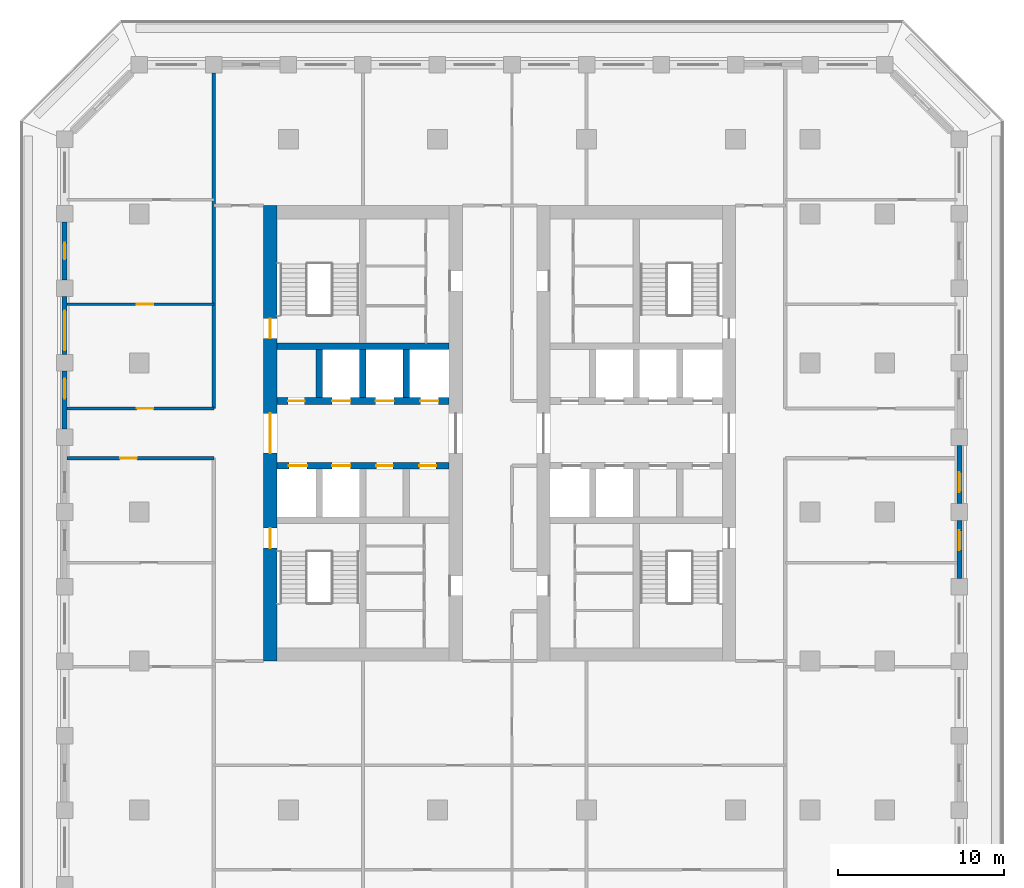
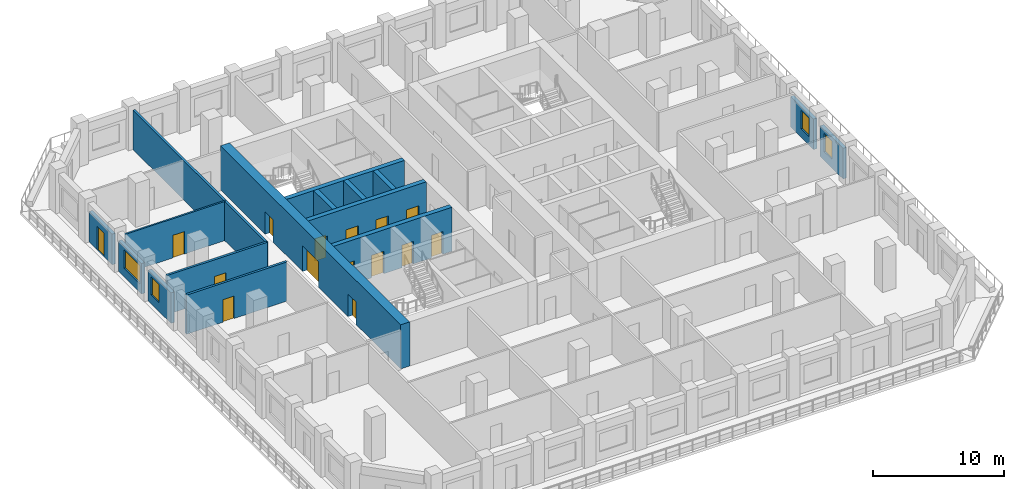
# One storey, part 5 of 16: 16 walls, 15 doors, 4 windows, 19 openings.
"""IFC4 building model written with IfcOpenShell, lengths in metres."""

from ifc_helpers import new_model, si_unit, direction, frame, frame_2d, origin, place, context, subcontext, project, spatial, rectangle, extrude, material, layer, layer_set, type_object, element, fill, save


model = new_model("IFC4")

# Units and contexts
model_context = context("Model", 3, precision=1e-05, world=origin(), true_north=direction((0.0, 1.0)))
body_context = subcontext(model_context, "Body", "Model", "MODEL_VIEW")
ifc_project = project(units=[si_unit("LENGTHUNIT", "METRE"), si_unit("AREAUNIT", "SQUARE_METRE"), si_unit("VOLUMEUNIT", "CUBIC_METRE"), si_unit("PLANEANGLEUNIT", "RADIAN"), si_unit("MASSUNIT", "GRAM", prefix="KILO")], contexts=[model_context])

# Site, building, storey
site_placement = place(None, origin())
site = spatial("IfcSite", under=ifc_project, at=site_placement, CompositionType="ELEMENT")
building_placement = place(site_placement, origin())
building = spatial("IfcBuilding", under=site, at=building_placement, Name="Corbel Stack Research Tower", CompositionType="ELEMENT")
storey_placement = place(building_placement, frame((0.0, 0.0, 203.800048828125)))
storey = spatial("IfcBuildingStorey", under=building, at=storey_placement, Name="L46", CompositionType="ELEMENT", Elevation=203.800048828125)

# Wall, openings, doors
ifc_material_1 = material(Name="Concrete C60/75", Category="concrete")
ifc_layer_1 = layer(ifc_material_1, 0.39990234375)
ifc_layer_set_1 = layer_set([ifc_layer_1], Name="Concrete C60/75")
wall_type_1 = type_object("IfcWallType", Name="CW-400-60", PredefinedType="SHEAR", material=ifc_layer_set_1)
wall_1_placement = place(storey_placement, frame((-9.699951171875, 2.800048828125, 0.0), z_axis=(0.0, 0.0, 1.0), x_axis=(1.0, 0.0, 0.0)))
wall_1 = element("IfcWall", 1, at=wall_1_placement, inside=storey, type_object=wall_type_1, Name="West core wall, lobby south L46", PredefinedType="SHEAR", context=body_context, shape_type="SweptSolid", body=[
    extrude(rectangle(XDim=10.39990234375, YDim=0.39990234375, at=frame_2d((5.199951171875, 0.0))), origin(), (0.0, 0.0, 1.0), 4.099853515625),
])
opening_1_placement = place(wall_1_placement, frame((0.737548828125, 0.0, 0.0)))
opening_1 = element("IfcOpeningElement", 2, at=opening_1_placement, cuts=wall_1, Name="Opening LD-FS1", PredefinedType="OPENING", context=body_context, shape_type="SweptSolid", body=[
    extrude(rectangle(XDim=1.10009765625, YDim=2.10009765625, at=frame_2d((0.550048828125, 1.050048828125))), frame((0.0, 0.2099609375, 0.0), z_axis=(0.0, -1.0, 0.0), x_axis=(1.0, 0.0, 0.0)), (0.0, 0.0, 1.0), 0.419921875),
])
opening_2_placement = place(wall_1_placement, frame((3.33740234375, 0.0, 0.0)))
opening_2 = element("IfcOpeningElement", 3, at=opening_2_placement, cuts=wall_1, Name="Opening LD-GL1", PredefinedType="OPENING", context=body_context, shape_type="SweptSolid", body=[
    extrude(rectangle(XDim=1.10009765625, YDim=2.10009765625, at=frame_2d((0.550048828125, 1.050048828125))), frame((0.0, 0.2099609375, 0.0), z_axis=(0.0, -1.0, 0.0), x_axis=(1.0, 0.0, 0.0)), (0.0, 0.0, 1.0), 0.419921875),
])
opening_3_placement = place(wall_1_placement, frame((6.012451171875, 0.0, 0.0)))
opening_3 = element("IfcOpeningElement", 4, at=opening_3_placement, cuts=wall_1, Name="Opening CR-W42-S3", PredefinedType="OPENING", context=body_context, shape_type="SweptSolid", body=[
    extrude(rectangle(XDim=1.0, YDim=2.10009765625, at=frame_2d((0.5, 1.050048828125))), frame((0.0, 0.2099609375, 0.0), z_axis=(0.0, -1.0, 0.0), x_axis=(1.0, 0.0, 0.0)), (0.0, 0.0, 1.0), 0.419921875),
])
opening_4_placement = place(wall_1_placement, frame((8.612548828125, 0.0, 0.0)))
opening_4 = element("IfcOpeningElement", 5, at=opening_4_placement, cuts=wall_1, Name="Opening CR-W42-S4", PredefinedType="OPENING", context=body_context, shape_type="SweptSolid", body=[
    extrude(rectangle(XDim=1.0, YDim=2.10009765625, at=frame_2d((0.5, 1.050048828125))), frame((0.0, 0.2099609375, 0.0), z_axis=(0.0, -1.0, 0.0), x_axis=(1.0, 0.0, 0.0)), (0.0, 0.0, 1.0), 0.419921875),
])
ifc_material_2 = material(Name="Stainless steel landing door", Category="steel")
door_type_1 = type_object("IfcDoorType", Name="Lift landing door 1100 x 2100", OperationType="DOUBLE_DOOR_SLIDING", PredefinedType="DOOR", material=ifc_material_2)
door_1_placement = place(opening_1_placement, origin())
door_1 = element("IfcDoor", 6, at=door_1_placement, inside=storey, type_object=door_type_1, Name="Landing door FS1", OperationType="DOUBLE_DOOR_SLIDING", OverallHeight=2.10009765625, OverallWidth=1.10009765625, PredefinedType="DOOR", context=body_context, shape_type="SweptSolid", body=[
    extrude(rectangle(XDim=1.10009765625, YDim=2.10009765625, at=frame_2d((0.550048828125, 1.050048828125))), frame((0.0, 0.02490234375, 0.0), z_axis=(0.0, -1.0, 0.0), x_axis=(1.0, 0.0, 0.0)), (0.0, 0.0, 1.0), 0.050048828125),
])
fill(opening_1, door_1)
door_2_placement = place(opening_2_placement, origin())
door_2 = element("IfcDoor", 7, at=door_2_placement, inside=storey, type_object=door_type_1, Name="Landing door GL1", OperationType="DOUBLE_DOOR_SLIDING", OverallHeight=2.10009765625, OverallWidth=1.10009765625, PredefinedType="DOOR", context=body_context, shape_type="SweptSolid", body=[
    extrude(rectangle(XDim=1.10009765625, YDim=2.10009765625, at=frame_2d((0.550048828125, 1.050048828125))), frame((0.0, 0.02490234375, 0.0), z_axis=(0.0, -1.0, 0.0), x_axis=(1.0, 0.0, 0.0)), (0.0, 0.0, 1.0), 0.050048828125),
])
fill(opening_2, door_2)
ifc_material_3 = material(Name="Painted steel door", Category="steel")
door_type_2 = type_object("IfcDoorType", Name="Service door 1000 x 2100 FD60 left hand", OperationType="SINGLE_SWING_LEFT", PredefinedType="DOOR", material=ifc_material_3)
door_3_placement = place(opening_3_placement, origin())
door_3 = element("IfcDoor", 8, at=door_3_placement, inside=storey, type_object=door_type_2, Name="Laboratory consumables store door W core", OperationType="SINGLE_SWING_LEFT", OverallHeight=2.10009765625, OverallWidth=1.0, PredefinedType="DOOR", context=body_context, shape_type="SweptSolid", body=[
    extrude(rectangle(XDim=1.0, YDim=2.10009765625, at=frame_2d((0.5, 1.050048828125))), frame((0.0, 0.02490234375, 0.0), z_axis=(0.0, -1.0, 0.0), x_axis=(1.0, 0.0, 0.0)), (0.0, 0.0, 1.0), 0.050048828125),
])
fill(opening_3, door_3)
ifc_material_4 = material(Name="Painted steel door", Category="steel")
door_type_3 = type_object("IfcDoorType", Name="Service door 1000 x 2100 FD60 right hand", OperationType="SINGLE_SWING_RIGHT", PredefinedType="DOOR", material=ifc_material_4)
door_4_placement = place(opening_4_placement, origin())
door_4 = element("IfcDoor", 9, at=door_4_placement, inside=storey, type_object=door_type_3, Name="Cleaner's store door W core", OperationType="SINGLE_SWING_RIGHT", OverallHeight=2.10009765625, OverallWidth=1.0, PredefinedType="DOOR", context=body_context, shape_type="SweptSolid", body=[
    extrude(rectangle(XDim=1.0, YDim=2.10009765625, at=frame_2d((0.5, 1.050048828125))), frame((0.0, 0.02490234375, 0.0), z_axis=(0.0, -1.0, 0.0), x_axis=(1.0, 0.0, 0.0)), (0.0, 0.0, 1.0), 0.050048828125),
])
fill(opening_4, door_4)

wall_2_placement = place(storey_placement, frame((-9.699951171875, 6.699951171875, 0.0), z_axis=(0.0, 0.0, 1.0), x_axis=(1.0, 0.0, 0.0)))
wall_2 = element("IfcWall", 10, at=wall_2_placement, inside=storey, type_object=wall_type_1, Name="West core wall, lobby north L46", PredefinedType="SHEAR", context=body_context, shape_type="SweptSolid", body=[
    extrude(rectangle(XDim=10.39990234375, YDim=0.39990234375, at=frame_2d((5.199951171875, 0.0))), origin(), (0.0, 0.0, 1.0), 4.099853515625),
])
opening_5_placement = place(wall_2_placement, frame((3.33740234375, 0.0, 0.0)))
opening_5 = element("IfcOpeningElement", 11, at=opening_5_placement, cuts=wall_2, Name="Opening LD-HR1", PredefinedType="OPENING", context=body_context, shape_type="SweptSolid", body=[
    extrude(rectangle(XDim=1.10009765625, YDim=2.10009765625, at=frame_2d((0.550048828125, 1.050048828125))), frame((0.0, 0.2099609375, 0.0), z_axis=(0.0, -1.0, 0.0), x_axis=(1.0, 0.0, 0.0)), (0.0, 0.0, 1.0), 0.419921875),
])
opening_6_placement = place(wall_2_placement, frame((5.96240234375, 0.0, 0.0)))
opening_6 = element("IfcOpeningElement", 12, at=opening_6_placement, cuts=wall_2, Name="Opening LD-HR2", PredefinedType="OPENING", context=body_context, shape_type="SweptSolid", body=[
    extrude(rectangle(XDim=1.10009765625, YDim=2.10009765625, at=frame_2d((0.550048828125, 1.050048828125))), frame((0.0, 0.2099609375, 0.0), z_axis=(0.0, -1.0, 0.0), x_axis=(1.0, 0.0, 0.0)), (0.0, 0.0, 1.0), 0.419921875),
])
opening_7_placement = place(wall_2_placement, frame((8.66259765625, 0.0, 0.0)))
opening_7 = element("IfcOpeningElement", 13, at=opening_7_placement, cuts=wall_2, Name="Opening LD-HR3", PredefinedType="OPENING", context=body_context, shape_type="SweptSolid", body=[
    extrude(rectangle(XDim=1.10009765625, YDim=2.10009765625, at=frame_2d((0.550048828125, 1.050048828125))), frame((0.0, 0.2099609375, 0.0), z_axis=(0.0, -1.0, 0.0), x_axis=(1.0, 0.0, 0.0)), (0.0, 0.0, 1.0), 0.419921875),
])
opening_8_placement = place(wall_2_placement, frame((0.6875, 0.0, 0.0)))
opening_8 = element("IfcOpeningElement", 14, at=opening_8_placement, cuts=wall_2, Name="Opening CR-W42-N1", PredefinedType="OPENING", context=body_context, shape_type="SweptSolid", body=[
    extrude(rectangle(XDim=1.0, YDim=2.10009765625, at=frame_2d((0.5, 1.050048828125))), frame((0.0, 0.2099609375, 0.0), z_axis=(0.0, -1.0, 0.0), x_axis=(1.0, 0.0, 0.0)), (0.0, 0.0, 1.0), 0.419921875),
])
door_5_placement = place(opening_5_placement, origin())
door_5 = element("IfcDoor", 15, at=door_5_placement, inside=storey, type_object=door_type_1, Name="Landing door HR1", OperationType="DOUBLE_DOOR_SLIDING", OverallHeight=2.10009765625, OverallWidth=1.10009765625, PredefinedType="DOOR", context=body_context, shape_type="SweptSolid", body=[
    extrude(rectangle(XDim=1.10009765625, YDim=2.10009765625, at=frame_2d((0.550048828125, 1.050048828125))), frame((0.0, 0.02490234375, 0.0), z_axis=(0.0, -1.0, 0.0), x_axis=(1.0, 0.0, 0.0)), (0.0, 0.0, 1.0), 0.050048828125),
])
fill(opening_5, door_5)
door_6_placement = place(opening_6_placement, origin())
door_6 = element("IfcDoor", 16, at=door_6_placement, inside=storey, type_object=door_type_1, Name="Landing door HR2", OperationType="DOUBLE_DOOR_SLIDING", OverallHeight=2.10009765625, OverallWidth=1.10009765625, PredefinedType="DOOR", context=body_context, shape_type="SweptSolid", body=[
    extrude(rectangle(XDim=1.10009765625, YDim=2.10009765625, at=frame_2d((0.550048828125, 1.050048828125))), frame((0.0, 0.02490234375, 0.0), z_axis=(0.0, -1.0, 0.0), x_axis=(1.0, 0.0, 0.0)), (0.0, 0.0, 1.0), 0.050048828125),
])
fill(opening_6, door_6)
door_7_placement = place(opening_7_placement, origin())
door_7 = element("IfcDoor", 17, at=door_7_placement, inside=storey, type_object=door_type_1, Name="Landing door HR3", OperationType="DOUBLE_DOOR_SLIDING", OverallHeight=2.10009765625, OverallWidth=1.10009765625, PredefinedType="DOOR", context=body_context, shape_type="SweptSolid", body=[
    extrude(rectangle(XDim=1.10009765625, YDim=2.10009765625, at=frame_2d((0.550048828125, 1.050048828125))), frame((0.0, 0.02490234375, 0.0), z_axis=(0.0, -1.0, 0.0), x_axis=(1.0, 0.0, 0.0)), (0.0, 0.0, 1.0), 0.050048828125),
])
fill(opening_7, door_7)
door_8_placement = place(opening_8_placement, origin())
door_8 = element("IfcDoor", 18, at=door_8_placement, inside=storey, type_object=door_type_2, Name="Vending bay door W core", OperationType="SINGLE_SWING_LEFT", OverallHeight=2.10009765625, OverallWidth=1.0, PredefinedType="DOOR", context=body_context, shape_type="SweptSolid", body=[
    extrude(rectangle(XDim=1.0, YDim=2.10009765625, at=frame_2d((0.5, 1.050048828125))), frame((0.0, 0.02490234375, 0.0), z_axis=(0.0, -1.0, 0.0), x_axis=(1.0, 0.0, 0.0)), (0.0, 0.0, 1.0), 0.050048828125),
])
fill(opening_8, door_8)

# Walls
wall_3_placement = place(storey_placement, frame((-9.699951171875, 10.0, 0.0), z_axis=(0.0, 0.0, 1.0), x_axis=(1.0, 0.0, 0.0)))
element("IfcWall", 19, at=wall_3_placement, inside=storey, type_object=wall_type_1, Name="West core wall, north row back L46", PredefinedType="SHEAR", context=body_context, shape_type="SweptSolid", body=[
    extrude(rectangle(XDim=10.39990234375, YDim=0.39990234375, at=frame_2d((5.199951171875, 0.0))), origin(), (0.0, 0.0, 1.0), 4.099853515625),
])
for number, where, z_axis, x_axis, name in (
    (20, (-7.125, 6.89990234375, 0.0), (0.0, 0.0, 1.0), (0.0, 1.0, 0.0), "West core wall, north shaft 1 L46"),
    (21, (-4.5, 6.89990234375, 0.0), (0.0, 0.0, 1.0), (0.0, 1.0, 0.0), "West core wall, north shaft 2 L46"),
    (22, (-1.875, 6.89990234375, 0.0), (0.0, 0.0, 1.0), (0.0, 1.0, 0.0), "West core wall, north shaft 3 L46"),
):
    element("IfcWall", number, at=place(storey_placement, frame(where, z_axis=z_axis, x_axis=x_axis)), inside=storey, type_object=wall_type_1, Name=name, PredefinedType="SHEAR", context=body_context, shape_type="SweptSolid", body=[
        extrude(rectangle(XDim=2.900146484375, YDim=0.39990234375, at=frame_2d((1.4501953125, 0.0))), origin(), (0.0, 0.0, 1.0), 4.099853515625),
    ])

# Wall, openings, doors
ifc_material_5 = material(Name="Concrete C60/75", Category="concrete")
ifc_layer_2 = layer(ifc_material_5, 0.800048828125)
ifc_layer_set_2 = layer_set([ifc_layer_2], Name="Concrete C60/75")
wall_type_2 = type_object("IfcWallType", Name="CW-800-60", PredefinedType="SHEAR", material=ifc_layer_set_2)
wall_4_placement = place(storey_placement, frame((-10.10009765625, -9.0, 0.0), z_axis=(0.0, 0.0, 1.0), x_axis=(0.0, 1.0, 0.0)))
wall_4 = element("IfcWall", 23, at=wall_4_placement, inside=storey, type_object=wall_type_2, Name="West core wall, west face L46", PredefinedType="SHEAR", context=body_context, shape_type="SweptSolid", body=[
    extrude(rectangle(XDim=27.5, YDim=0.800048828125, at=frame_2d((13.75, 0.0))), origin(), (0.0, 0.0, 1.0), 4.099853515625),
])
opening_9_placement = place(wall_4_placement, frame((12.550048828125, 0.0, 0.0)))
opening_9 = element("IfcOpeningElement", 24, at=opening_9_placement, cuts=wall_4, Name="Opening CD-W-W", PredefinedType="OPENING", context=body_context, shape_type="SweptSolid", body=[
    extrude(rectangle(XDim=2.39990234375, YDim=2.39990234375, at=frame_2d((1.199951171875, 1.199951171875))), frame((0.0, 0.409912109375, 0.0), z_axis=(0.0, -1.0, 0.0), x_axis=(1.0, 0.0, 0.0)), (0.0, 0.0, 1.0), 0.820068359375),
])
opening_10_placement = place(wall_4_placement, frame((6.824951171875, 0.0, 0.0)))
opening_10 = element("IfcOpeningElement", 25, at=opening_10_placement, cuts=wall_4, Name="Opening SD-ST-W1", PredefinedType="OPENING", context=body_context, shape_type="SweptSolid", body=[
    extrude(rectangle(XDim=1.199951171875, YDim=2.10009765625, at=frame_2d((0.60009765625, 1.050048828125))), frame((0.0, 0.409912109375, 0.0), z_axis=(0.0, -1.0, 0.0), x_axis=(1.0, 0.0, 0.0)), (0.0, 0.0, 1.0), 0.820068359375),
])
opening_11_placement = place(wall_4_placement, frame((19.47509765625, 0.0, 0.0)))
opening_11 = element("IfcOpeningElement", 26, at=opening_11_placement, cuts=wall_4, Name="Opening SD-ST-W2", PredefinedType="OPENING", context=body_context, shape_type="SweptSolid", body=[
    extrude(rectangle(XDim=1.199951171875, YDim=2.10009765625, at=frame_2d((0.60009765625, 1.050048828125))), frame((0.0, 0.409912109375, 0.0), z_axis=(0.0, -1.0, 0.0), x_axis=(1.0, 0.0, 0.0)), (0.0, 0.0, 1.0), 0.820068359375),
])
ifc_material_6 = material(Name="Painted steel fire door", Category="steel")
door_type_4 = type_object("IfcDoorType", Name="Lobby door pair 2400 x 2400 FD30S", OperationType="DOUBLE_DOOR_DOUBLE_SWING", PredefinedType="DOOR", material=ifc_material_6)
door_9_placement = place(opening_9_placement, origin())
door_9 = element("IfcDoor", 27, at=door_9_placement, inside=storey, type_object=door_type_4, Name="Lift lobby door W core W", OperationType="DOUBLE_DOOR_DOUBLE_SWING", OverallHeight=2.39990234375, OverallWidth=2.39990234375, PredefinedType="DOOR", context=body_context, shape_type="SweptSolid", body=[
    extrude(rectangle(XDim=2.39990234375, YDim=2.39990234375, at=frame_2d((1.199951171875, 1.199951171875))), frame((0.0, 0.02490234375, 0.0), z_axis=(0.0, -1.0, 0.0), x_axis=(1.0, 0.0, 0.0)), (0.0, 0.0, 1.0), 0.050048828125),
])
fill(opening_9, door_9)
ifc_material_7 = material(Name="Painted steel fire door", Category="steel")
door_type_5 = type_object("IfcDoorType", Name="Stair door 1200 x 2100 FD90 left hand", OperationType="SINGLE_SWING_LEFT", PredefinedType="DOOR", material=ifc_material_7)
door_10_placement = place(opening_10_placement, origin())
door_10 = element("IfcDoor", 28, at=door_10_placement, inside=storey, type_object=door_type_5, Name="Stair door ST-W1", OperationType="SINGLE_SWING_LEFT", OverallHeight=2.10009765625, OverallWidth=1.199951171875, PredefinedType="DOOR", context=body_context, shape_type="SweptSolid", body=[
    extrude(rectangle(XDim=1.199951171875, YDim=2.10009765625, at=frame_2d((0.60009765625, 1.050048828125))), frame((0.0, 0.02490234375, 0.0), z_axis=(0.0, -1.0, 0.0), x_axis=(1.0, 0.0, 0.0)), (0.0, 0.0, 1.0), 0.050048828125),
])
fill(opening_10, door_10)
door_11_placement = place(opening_11_placement, origin())
door_11 = element("IfcDoor", 29, at=door_11_placement, inside=storey, type_object=door_type_5, Name="Stair door ST-W2", OperationType="SINGLE_SWING_LEFT", OverallHeight=2.10009765625, OverallWidth=1.199951171875, PredefinedType="DOOR", context=body_context, shape_type="SweptSolid", body=[
    extrude(rectangle(XDim=1.199951171875, YDim=2.10009765625, at=frame_2d((0.60009765625, 1.050048828125))), frame((0.0, 0.02490234375, 0.0), z_axis=(0.0, -1.0, 0.0), x_axis=(1.0, 0.0, 0.0)), (0.0, 0.0, 1.0), 0.050048828125),
])
fill(opening_11, door_11)

# Wall
ifc_material_8 = material(Name="Fire-rated gypsum board partition on steel studs", Category="steel")
ifc_layer_3 = layer(ifc_material_8, 0.199951171875)
ifc_layer_set_3 = layer_set([ifc_layer_3], Name="Fire-rated gypsum board partition on steel studs")
wall_type_3 = type_object("IfcWallType", Name="Fire-rated partition 200 EI 60", PredefinedType="PARTITIONING", material=ifc_layer_set_3)
wall_5_placement = place(storey_placement, frame((-13.5, 6.25, 0.0), z_axis=(0.0, 0.0, 1.0), x_axis=(0.0, 1.0, 0.0)))
element("IfcWall", 30, at=wall_5_placement, inside=storey, type_object=wall_type_3, Name="Partition L46-002", PredefinedType="PARTITIONING", context=body_context, shape_type="SweptSolid", body=[
    extrude(rectangle(XDim=20.25, YDim=0.199951171875, at=frame_2d((10.125, 0.0))), origin(), (0.0, 0.0, 1.0), 3.64990234375),
])

# Wall, opening, door
wall_6_placement = place(storey_placement, frame((-13.5, 3.25, 0.0), z_axis=(0.0, 0.0, 1.0), x_axis=(-1.0, 0.0, 0.0)))
wall_6 = element("IfcWall", 31, at=wall_6_placement, inside=storey, type_object=wall_type_3, Name="Partition L46-031", PredefinedType="PARTITIONING", context=body_context, shape_type="SweptSolid", body=[
    extrude(rectangle(XDim=8.85009765625, YDim=0.199951171875, at=frame_2d((4.425048828125, 0.0))), origin(), (0.0, 0.0, 1.0), 3.64990234375),
])
opening_12_placement = place(wall_6_placement, frame((4.64990234375, 0.0, 0.0)))
opening_12 = element("IfcOpeningElement", 32, at=opening_12_placement, cuts=wall_6, Name="Opening B6V1-016", PredefinedType="OPENING", context=body_context, shape_type="SweptSolid", body=[
    extrude(rectangle(XDim=1.0, YDim=2.10009765625, at=frame_2d((0.5, 1.050048828125))), frame((0.0, 0.10986328125, 0.0), z_axis=(0.0, -1.0, 0.0), x_axis=(1.0, 0.0, 0.0)), (0.0, 0.0, 1.0), 0.219970703125),
])
ifc_material_9 = material(Name="Painted steel fire door", Category="steel")
door_type_6 = type_object("IfcDoorType", Name="Fire door FD30S 1000 x 2100", OperationType="NOTDEFINED", PredefinedType="DOOR", material=ifc_material_9)
door_12_placement = place(opening_12_placement, origin())
door_12 = element("IfcDoor", 33, at=door_12_placement, inside=storey, type_object=door_type_6, Name="Door B6V1-016", OperationType="SINGLE_SWING_RIGHT", OverallHeight=2.10009765625, OverallWidth=1.0, PredefinedType="DOOR", context=body_context, shape_type="SweptSolid", body=[
    extrude(rectangle(XDim=1.0, YDim=2.10009765625, at=frame_2d((0.5, 1.050048828125))), frame((0.0, 0.02490234375, 0.0), z_axis=(0.0, -1.0, 0.0), x_axis=(1.0, 0.0, 0.0)), (0.0, 0.0, 1.0), 0.050048828125),
])
fill(opening_12, door_12)

wall_7_placement = place(storey_placement, frame((-22.35009765625, 6.25, 0.0), z_axis=(0.0, 0.0, 1.0), x_axis=(1.0, 0.0, 0.0)))
wall_7 = element("IfcWall", 34, at=wall_7_placement, inside=storey, type_object=wall_type_3, Name="Partition L46-033", PredefinedType="PARTITIONING", context=body_context, shape_type="SweptSolid", body=[
    extrude(rectangle(XDim=8.85009765625, YDim=0.199951171875, at=frame_2d((4.425048828125, 0.0))), origin(), (0.0, 0.0, 1.0), 3.64990234375),
])
opening_13_placement = place(wall_7_placement, frame((4.199951171875, 0.0, 0.0)))
opening_13 = element("IfcOpeningElement", 35, at=opening_13_placement, cuts=wall_7, Name="Opening B6V1-023", PredefinedType="OPENING", context=body_context, shape_type="SweptSolid", body=[
    extrude(rectangle(XDim=1.0, YDim=2.10009765625, at=frame_2d((0.5, 1.050048828125))), frame((0.0, 0.10986328125, 0.0), z_axis=(0.0, -1.0, 0.0), x_axis=(1.0, 0.0, 0.0)), (0.0, 0.0, 1.0), 0.219970703125),
])
door_13_placement = place(opening_13_placement, origin())
door_13 = element("IfcDoor", 36, at=door_13_placement, inside=storey, type_object=door_type_6, Name="Door B6V1-023", OperationType="SINGLE_SWING_RIGHT", OverallHeight=2.10009765625, OverallWidth=1.0, PredefinedType="DOOR", context=body_context, shape_type="SweptSolid", body=[
    extrude(rectangle(XDim=1.0, YDim=2.10009765625, at=frame_2d((0.5, 1.050048828125))), frame((0.0, 0.02490234375, 0.0), z_axis=(0.0, -1.0, 0.0), x_axis=(1.0, 0.0, 0.0)), (0.0, 0.0, 1.0), 0.050048828125),
])
fill(opening_13, door_13)

ifc_material_10 = material(Name="Gypsum board partition on steel studs", Category="steel")
ifc_layer_4 = layer(ifc_material_10, 0.14990234375)
ifc_layer_set_4 = layer_set([ifc_layer_4], Name="Gypsum board partition on steel studs")
wall_type_4 = type_object("IfcWallType", Name="Partition 150", PredefinedType="PARTITIONING", material=ifc_layer_set_4)
wall_8_placement = place(storey_placement, frame((-22.35009765625, 12.550048828125, 0.0), z_axis=(0.0, 0.0, 1.0), x_axis=(1.0, 0.0, 0.0)))
wall_8 = element("IfcWall", 37, at=wall_8_placement, inside=storey, type_object=wall_type_4, Name="Partition L46-036", PredefinedType="PARTITIONING", context=body_context, shape_type="SweptSolid", body=[
    extrude(rectangle(XDim=8.85009765625, YDim=0.14990234375, at=frame_2d((4.425048828125, 0.0))), origin(), (0.0, 0.0, 1.0), 3.64990234375),
])
opening_14_placement = place(wall_8_placement, frame((4.199951171875, 0.0, 0.0)))
opening_14 = element("IfcOpeningElement", 38, at=opening_14_placement, cuts=wall_8, Name="Opening B6V1-025", PredefinedType="OPENING", context=body_context, shape_type="SweptSolid", body=[
    extrude(rectangle(XDim=1.0, YDim=2.10009765625, at=frame_2d((0.5, 1.050048828125))), frame((0.0, 0.0849609375, 0.0), z_axis=(0.0, -1.0, 0.0), x_axis=(1.0, 0.0, 0.0)), (0.0, 0.0, 1.0), 0.169921875),
])
ifc_material_11 = material(Name="Painted timber door", Category="wood")
door_type_7 = type_object("IfcDoorType", Name="Single door 1000 x 2100", OperationType="NOTDEFINED", PredefinedType="DOOR", material=ifc_material_11)
door_14_placement = place(opening_14_placement, origin())
door_14 = element("IfcDoor", 39, at=door_14_placement, inside=storey, type_object=door_type_7, Name="Door B6V1-025", OperationType="SINGLE_SWING_RIGHT", OverallHeight=2.10009765625, OverallWidth=1.0, PredefinedType="DOOR", context=body_context, shape_type="SweptSolid", body=[
    extrude(rectangle(XDim=1.0, YDim=2.10009765625, at=frame_2d((0.5, 1.050048828125))), frame((0.0, 0.02490234375, 0.0), z_axis=(0.0, -1.0, 0.0), x_axis=(1.0, 0.0, 0.0)), (0.0, 0.0, 1.0), 0.050048828125),
])
fill(opening_14, door_14)

# Wall, opening, window
ifc_material_12 = material(Name="Concrete C45/55", Category="concrete")
ifc_layer_5 = layer(ifc_material_12, 0.300048828125)
ifc_layer_set_5 = layer_set([ifc_layer_5], Name="Concrete C45/55")
wall_type_5 = type_object("IfcWallType", Name="Terracotta-faced concrete wall 300", PredefinedType="SOLIDWALL", material=ifc_layer_set_5)
wall_9_placement = place(storey_placement, frame((31.5, -0.5, 0.0), z_axis=(0.0, 0.0, 1.0), x_axis=(0.0, -1.0, 0.0)))
wall_9 = element("IfcWall", 40, at=wall_9_placement, inside=storey, type_object=wall_type_5, Name="Facade wall L46 E05", PredefinedType="SOLIDWALL", context=body_context, shape_type="SweptSolid", body=[
    extrude(rectangle(XDim=3.5, YDim=0.300048828125, at=frame_2d((1.75, 0.0))), origin(), (0.0, 0.0, 1.0), 2.849853515625),
])
opening_15_placement = place(wall_9_placement, frame((0.612548828125, 0.0, 0.800048828125)))
opening_15 = element("IfcOpeningElement", 41, at=opening_15_placement, cuts=wall_9, Name="Opening W2", PredefinedType="OPENING", context=body_context, shape_type="SweptSolid", body=[
    extrude(rectangle(XDim=1.199951171875, YDim=1.699951171875, at=frame_2d((0.60009765625, 0.85009765625))), frame((0.0, 0.159912109375, 0.0), z_axis=(0.0, -1.0, 0.0), x_axis=(1.0, 0.0, 0.0)), (0.0, 0.0, 1.0), 0.320068359375),
])
ifc_material_13 = material(Name="Aluminium frame, clear double glazing", Category="aluminium")
window_type_1 = type_object("IfcWindowType", Name="Window W2 1200 x 1700", PartitioningType="SINGLE_PANEL", PredefinedType="WINDOW", material=ifc_material_13)
window_1_placement = place(opening_15_placement, origin())
window_1 = element("IfcWindow", 42, at=window_1_placement, inside=storey, type_object=window_type_1, Name="Window W2 L46 E05", OverallHeight=1.699951171875, OverallWidth=1.199951171875, PartitioningType="SINGLE_PANEL", PredefinedType="WINDOW", context=body_context, shape_type="SweptSolid", body=[
    extrude(rectangle(XDim=1.199951171875, YDim=1.699951171875, at=frame_2d((0.60009765625, 0.85009765625))), frame((0.0, 0.030029296875, 0.0), z_axis=(0.0, -1.0, 0.0), x_axis=(1.0, 0.0, 0.0)), (0.0, 0.0, 1.0), 0.06005859375),
])
fill(opening_15, window_1)

wall_10_placement = place(storey_placement, frame((31.5, 4.0, 0.0), z_axis=(0.0, 0.0, 1.0), x_axis=(0.0, -1.0, 0.0)))
wall_10 = element("IfcWall", 43, at=wall_10_placement, inside=storey, type_object=wall_type_5, Name="Facade wall L46 E06", PredefinedType="SOLIDWALL", context=body_context, shape_type="SweptSolid", body=[
    extrude(rectangle(XDim=3.5, YDim=0.300048828125, at=frame_2d((1.75, 0.0))), origin(), (0.0, 0.0, 1.0), 2.849853515625),
])
opening_16_placement = place(wall_10_placement, frame((1.60009765625, 0.0, 0.800048828125)))
opening_16 = element("IfcOpeningElement", 44, at=opening_16_placement, cuts=wall_10, Name="Opening W2", PredefinedType="OPENING", context=body_context, shape_type="SweptSolid", body=[
    extrude(rectangle(XDim=1.199951171875, YDim=1.699951171875, at=frame_2d((0.60009765625, 0.85009765625))), frame((0.0, 0.159912109375, 0.0), z_axis=(0.0, -1.0, 0.0), x_axis=(1.0, 0.0, 0.0)), (0.0, 0.0, 1.0), 0.320068359375),
])
window_2_placement = place(opening_16_placement, origin())
window_2 = element("IfcWindow", 45, at=window_2_placement, inside=storey, type_object=window_type_1, Name="Window W2 L46 E06", OverallHeight=1.699951171875, OverallWidth=1.199951171875, PartitioningType="SINGLE_PANEL", PredefinedType="WINDOW", context=body_context, shape_type="SweptSolid", body=[
    extrude(rectangle(XDim=1.199951171875, YDim=1.699951171875, at=frame_2d((0.60009765625, 0.85009765625))), frame((0.0, 0.030029296875, 0.0), z_axis=(0.0, -1.0, 0.0), x_axis=(1.0, 0.0, 0.0)), (0.0, 0.0, 1.0), 0.06005859375),
])
fill(opening_16, window_2)

# Wall, opening, door
wall_11_placement = place(storey_placement, frame((-22.5, 14.0, 0.0), z_axis=(0.0, 0.0, 1.0), x_axis=(0.0, 1.0, 0.0)))
wall_11 = element("IfcWall", 46, at=wall_11_placement, inside=storey, type_object=wall_type_5, Name="Facade wall L46 W02", PredefinedType="SOLIDWALL", context=body_context, shape_type="SweptSolid", body=[
    extrude(rectangle(XDim=3.5, YDim=0.300048828125, at=frame_2d((1.75, 0.0))), origin(), (0.0, 0.0, 1.0), 2.849853515625),
])
opening_17_placement = place(wall_11_placement, frame((1.25, 0.0, 0.0)))
opening_17 = element("IfcOpeningElement", 47, at=opening_17_placement, cuts=wall_11, Name="Opening L46-B10", PredefinedType="OPENING", context=body_context, shape_type="SweptSolid", body=[
    extrude(rectangle(XDim=1.0, YDim=2.199951171875, at=frame_2d((0.5, 1.10009765625))), frame((0.0, 0.159912109375, 0.0), z_axis=(0.0, -1.0, 0.0), x_axis=(1.0, 0.0, 0.0)), (0.0, 0.0, 1.0), 0.320068359375),
])
ifc_material_14 = material(Name="Aluminium frame, clear double glazing", Category="aluminium")
door_type_8 = type_object("IfcDoorType", Name="Balcony door BD1 1000 x 2200", OperationType="NOTDEFINED", PredefinedType="DOOR", material=ifc_material_14)
door_15_placement = place(opening_17_placement, origin())
door_15 = element("IfcDoor", 48, at=door_15_placement, inside=storey, type_object=door_type_8, Name="Balcony door L46-B10", OperationType="SINGLE_SWING_RIGHT", OverallHeight=2.199951171875, OverallWidth=1.0, PredefinedType="DOOR", context=body_context, shape_type="SweptSolid", body=[
    extrude(rectangle(XDim=1.0, YDim=2.199951171875, at=frame_2d((0.5, 1.10009765625))), frame((0.0, 0.02490234375, 0.0), z_axis=(0.0, -1.0, 0.0), x_axis=(1.0, 0.0, 0.0)), (0.0, 0.0, 1.0), 0.050048828125),
])
fill(opening_17, door_15)

# Wall, opening, window
wall_12_placement = place(storey_placement, frame((-22.5, 9.5, 0.0), z_axis=(0.0, 0.0, 1.0), x_axis=(0.0, 1.0, 0.0)))
wall_12 = element("IfcWall", 49, at=wall_12_placement, inside=storey, type_object=wall_type_5, Name="Facade wall L46 W03", PredefinedType="SOLIDWALL", context=body_context, shape_type="SweptSolid", body=[
    extrude(rectangle(XDim=3.5, YDim=0.300048828125, at=frame_2d((1.75, 0.0))), origin(), (0.0, 0.0, 1.0), 2.849853515625),
])
opening_18_placement = place(wall_12_placement, frame((0.262451171875, 0.0, 0.800048828125)))
opening_18 = element("IfcOpeningElement", 50, at=opening_18_placement, cuts=wall_12, Name="Opening W1", PredefinedType="OPENING", context=body_context, shape_type="SweptSolid", body=[
    extrude(rectangle(XDim=2.39990234375, YDim=1.699951171875, at=frame_2d((1.199951171875, 0.85009765625))), frame((0.0, 0.159912109375, 0.0), z_axis=(0.0, -1.0, 0.0), x_axis=(1.0, 0.0, 0.0)), (0.0, 0.0, 1.0), 0.320068359375),
])
ifc_material_15 = material(Name="Aluminium frame, clear double glazing", Category="aluminium")
window_type_2 = type_object("IfcWindowType", Name="Window W1 2400 x 1700", PartitioningType="SINGLE_PANEL", PredefinedType="WINDOW", material=ifc_material_15)
window_3_placement = place(opening_18_placement, origin())
window_3 = element("IfcWindow", 51, at=window_3_placement, inside=storey, type_object=window_type_2, Name="Window W1 L46 W03", OverallHeight=1.699951171875, OverallWidth=2.39990234375, PartitioningType="SINGLE_PANEL", PredefinedType="WINDOW", context=body_context, shape_type="SweptSolid", body=[
    extrude(rectangle(XDim=2.39990234375, YDim=1.699951171875, at=frame_2d((1.199951171875, 0.85009765625))), frame((0.0, 0.030029296875, 0.0), z_axis=(0.0, -1.0, 0.0), x_axis=(1.0, 0.0, 0.0)), (0.0, 0.0, 1.0), 0.06005859375),
])
fill(opening_18, window_3)

wall_13_placement = place(storey_placement, frame((-22.5, 5.0, 0.0), z_axis=(0.0, 0.0, 1.0), x_axis=(0.0, 1.0, 0.0)))
wall_13 = element("IfcWall", 52, at=wall_13_placement, inside=storey, type_object=wall_type_5, Name="Facade wall L46 W04", PredefinedType="SOLIDWALL", context=body_context, shape_type="SweptSolid", body=[
    extrude(rectangle(XDim=3.5, YDim=0.300048828125, at=frame_2d((1.75, 0.0))), origin(), (0.0, 0.0, 1.0), 2.849853515625),
])
opening_19_placement = place(wall_13_placement, frame((1.85009765625, 0.0, 0.800048828125)))
opening_19 = element("IfcOpeningElement", 53, at=opening_19_placement, cuts=wall_13, Name="Opening W2", PredefinedType="OPENING", context=body_context, shape_type="SweptSolid", body=[
    extrude(rectangle(XDim=1.199951171875, YDim=1.699951171875, at=frame_2d((0.60009765625, 0.85009765625))), frame((0.0, 0.159912109375, 0.0), z_axis=(0.0, -1.0, 0.0), x_axis=(1.0, 0.0, 0.0)), (0.0, 0.0, 1.0), 0.320068359375),
])
window_4_placement = place(opening_19_placement, origin())
window_4 = element("IfcWindow", 54, at=window_4_placement, inside=storey, type_object=window_type_1, Name="Window W2 L46 W04", OverallHeight=1.699951171875, OverallWidth=1.199951171875, PartitioningType="SINGLE_PANEL", PredefinedType="WINDOW", context=body_context, shape_type="SweptSolid", body=[
    extrude(rectangle(XDim=1.199951171875, YDim=1.699951171875, at=frame_2d((0.60009765625, 0.85009765625))), frame((0.0, 0.030029296875, 0.0), z_axis=(0.0, -1.0, 0.0), x_axis=(1.0, 0.0, 0.0)), (0.0, 0.0, 1.0), 0.06005859375),
])
fill(opening_19, window_4)

save(model, "model.ifc")
